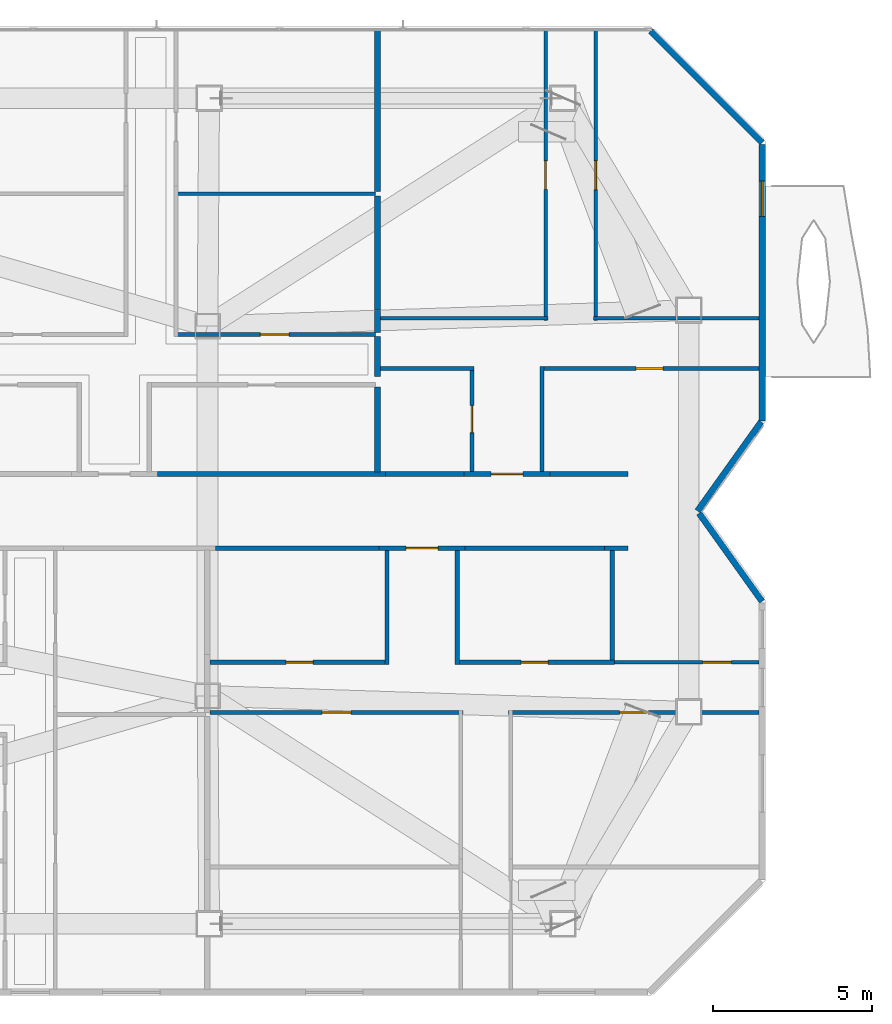
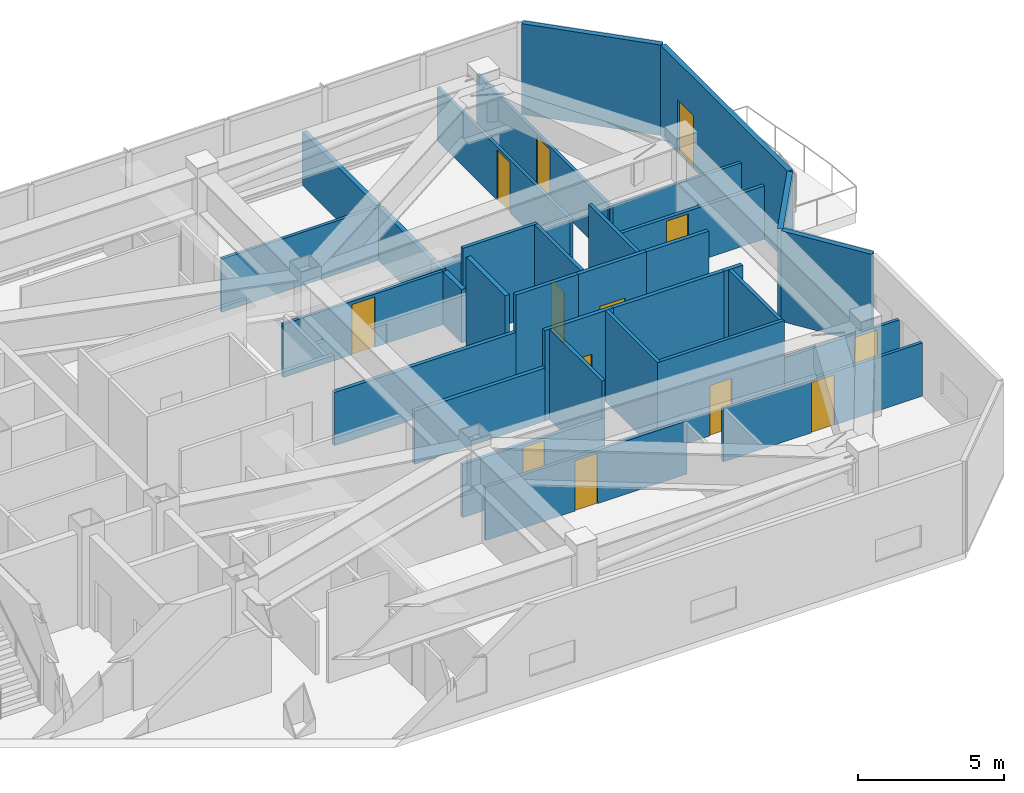
# One storey, part 12 of 16: 35 walls, 13 doors, 13 openings.
"""IFC4 building model written with IfcOpenShell, lengths in metres."""

from ifc_helpers import new_model, si_unit, direction, frame, frame_2d, origin, place, context, subcontext, project, spatial, rectangle, extrude, material, layer, layer_set, type_object, element, fill, save


model = new_model("IFC4")

# Units and contexts
model_context = context("Model", 3, precision=1e-05, world=origin(), true_north=direction((0.0, 1.0)))
body_context = subcontext(model_context, "Body", "Model", "MODEL_VIEW")
ifc_project = project(units=[si_unit("LENGTHUNIT", "METRE"), si_unit("AREAUNIT", "SQUARE_METRE"), si_unit("VOLUMEUNIT", "CUBIC_METRE"), si_unit("PLANEANGLEUNIT", "RADIAN"), si_unit("MASSUNIT", "GRAM", prefix="KILO")], contexts=[model_context])

# Site, building, storey
site_placement = place(None, origin())
site = spatial("IfcSite", under=ifc_project, at=site_placement, CompositionType="ELEMENT")
building_placement = place(site_placement, origin())
building = spatial("IfcBuilding", under=site, at=building_placement, Name="Khamvora Tower", CompositionType="ELEMENT")
storey_placement = place(building_placement, frame((0.0, 0.0, 273.64990234375)))
storey = spatial("IfcBuildingStorey", under=building, at=storey_placement, Name="L70", CompositionType="ELEMENT", Elevation=273.64990234375)

# Wall
ifc_material_1 = material(Name="Fire-Rated Drywall and Steel Stud", Category="steel")
ifc_layer_1 = layer(ifc_material_1, 0.14990234375)
ifc_layer_set_1 = layer_set([ifc_layer_1], Name="Fire-Rated Drywall and Steel Stud")
wall_type_1 = type_object("IfcWallType", Name="WAL-CORR-150", PredefinedType="STANDARD", material=ifc_layer_set_1)
wall_1_placement = place(storey_placement, frame((63.68994140625, 26.8349609375, 0.0), z_axis=(0.0, 0.0, 1.0), x_axis=(-1.0, 0.0, 0.0)))
element("IfcWall", 1, at=wall_1_placement, inside=storey, type_object=wall_type_1, Name="L70 interior partition wall 016", PredefinedType="STANDARD", context=body_context, shape_type="SweptSolid", body=[
    extrude(rectangle(XDim=0.742919921875, YDim=0.14990234375, at=frame_2d((0.37158203125, 0.0))), origin(), (0.0, 0.0, 1.0), 3.780029296875),
])

# Wall, opening, door
wall_2_placement = place(storey_placement, frame((58.580078125, 26.8349609375, 0.0), z_axis=(0.0, 0.0, 1.0), x_axis=(-1.0, 0.0, 0.0)))
wall_2 = element("IfcWall", 2, at=wall_2_placement, inside=storey, type_object=wall_type_1, Name="L70 interior partition wall 017", PredefinedType="STANDARD", context=body_context, shape_type="SweptSolid", body=[
    extrude(rectangle(XDim=2.697998046875, YDim=0.14990234375, at=frame_2d((1.34912109375, 0.0))), origin(), (0.0, 0.0, 1.0), 3.780029296875),
])
opening_1_placement = place(wall_2_placement, frame((0.84912109375, 0.0, 0.0)))
opening_1 = element("IfcOpeningElement", 3, at=opening_1_placement, cuts=wall_2, Name="Opening D-U1", PredefinedType="OPENING", context=body_context, shape_type="SweptSolid", body=[
    extrude(rectangle(XDim=1.0, YDim=2.14990234375, at=frame_2d((0.5, 1.074951171875))), frame((0.0, 0.0849609375, 0.0), z_axis=(0.0, -1.0, 0.0), x_axis=(1.0, 0.0, 0.0)), (0.0, 0.0, 1.0), 0.169921875),
])
ifc_material_2 = material(Name="Powder-Coated Steel and Hardwood Leaf", Category="steel")
door_type_1 = type_object("IfcDoorType", Name="DOR-UNIT-1000", OperationType="NOTDEFINED", PredefinedType="DOOR", material=ifc_material_2)
door_1_placement = place(opening_1_placement, origin())
door_1 = element("IfcDoor", 4, at=door_1_placement, inside=storey, type_object=door_type_1, Name="L70 interior door COR-70DH", OperationType="SINGLE_SWING_RIGHT", OverallHeight=2.14990234375, OverallWidth=1.0, PredefinedType="DOOR", context=body_context, shape_type="SweptSolid", body=[
    extrude(rectangle(XDim=1.0, YDim=2.14990234375, at=frame_2d((0.5, 1.074951171875))), frame((0.0, 0.02490234375, 0.0), z_axis=(0.0, -1.0, 0.0), x_axis=(1.0, 0.0, 0.0)), (0.0, 0.0, 1.0), 0.050048828125),
])
fill(opening_1, door_1)

# Walls
wall_3_placement = place(storey_placement, frame((62.947021484375, 26.8349609375, 0.0), z_axis=(0.0, 0.0, 1.0), x_axis=(-1.0, 0.0, 0.0)))
element("IfcWall", 5, at=wall_3_placement, inside=storey, type_object=wall_type_1, Name="L70 interior partition wall 018", PredefinedType="STANDARD", context=body_context, shape_type="SweptSolid", body=[
    extrude(rectangle(XDim=4.366943359375, YDim=0.14990234375, at=frame_2d((2.18359375, 0.0))), origin(), (0.0, 0.0, 1.0), 3.780029296875),
])
wall_4_placement = place(storey_placement, frame((55.882080078125, 26.8349609375, 0.0), z_axis=(0.0, 0.0, 1.0), x_axis=(-1.0, 0.0, 0.0)))
element("IfcWall", 6, at=wall_4_placement, inside=storey, type_object=wall_type_1, Name="L70 interior partition wall 019", PredefinedType="STANDARD", context=body_context, shape_type="SweptSolid", body=[
    extrude(rectangle(XDim=5.13818359375, YDim=0.14990234375, at=frame_2d((2.569091796875, 0.0))), origin(), (0.0, 0.0, 1.0), 2.22021484375),
])
wall_5_placement = place(storey_placement, frame((48.923095703125, 29.1650390625, 0.0), z_axis=(0.0, 0.0, 1.0), x_axis=(1.0, 0.0, 0.0)))
element("IfcWall", 7, at=wall_5_placement, inside=storey, type_object=wall_type_1, Name="L70 interior partition wall 024", PredefinedType="STANDARD", context=body_context, shape_type="SweptSolid", body=[
    extrude(rectangle(XDim=7.159912109375, YDim=0.14990234375, at=frame_2d((3.580078125, 0.0))), origin(), (0.0, 0.0, 1.0), 2.22021484375),
])

# Wall, opening, door
wall_6_placement = place(storey_placement, frame((58.5458984375, 29.1650390625, 0.0), z_axis=(0.0, 0.0, 1.0), x_axis=(1.0, 0.0, 0.0)))
wall_6 = element("IfcWall", 8, at=wall_6_placement, inside=storey, type_object=wall_type_1, Name="L70 interior partition wall 026", PredefinedType="STANDARD", context=body_context, shape_type="SweptSolid", body=[
    extrude(rectangle(XDim=2.697998046875, YDim=0.14990234375, at=frame_2d((1.34912109375, 0.0))), origin(), (0.0, 0.0, 1.0), 3.780029296875),
])
opening_2_placement = place(wall_6_placement, frame((0.84912109375, 0.0, 0.0)))
opening_2 = element("IfcOpeningElement", 9, at=opening_2_placement, cuts=wall_6, Name="Opening D-U1", PredefinedType="OPENING", context=body_context, shape_type="SweptSolid", body=[
    extrude(rectangle(XDim=1.0, YDim=2.14990234375, at=frame_2d((0.5, 1.074951171875))), frame((0.0, 0.0849609375, 0.0), z_axis=(0.0, -1.0, 0.0), x_axis=(1.0, 0.0, 0.0)), (0.0, 0.0, 1.0), 0.169921875),
])
door_2_placement = place(opening_2_placement, origin())
door_2 = element("IfcDoor", 10, at=door_2_placement, inside=storey, type_object=door_type_1, Name="L70 interior door COR-70E2H", OperationType="SINGLE_SWING_RIGHT", OverallHeight=2.14990234375, OverallWidth=1.0, PredefinedType="DOOR", context=body_context, shape_type="SweptSolid", body=[
    extrude(rectangle(XDim=1.0, YDim=2.14990234375, at=frame_2d((0.5, 1.074951171875))), frame((0.0, 0.02490234375, 0.0), z_axis=(0.0, -1.0, 0.0), x_axis=(1.0, 0.0, 0.0)), (0.0, 0.0, 1.0), 0.050048828125),
])
fill(opening_2, door_2)

# Walls
wall_7_placement = place(storey_placement, frame((56.0830078125, 29.1650390625, 0.0), z_axis=(0.0, 0.0, 1.0), x_axis=(1.0, 0.0, 0.0)))
element("IfcWall", 11, at=wall_7_placement, inside=storey, type_object=wall_type_1, Name="L70 interior partition wall 027", PredefinedType="STANDARD", context=body_context, shape_type="SweptSolid", body=[
    extrude(rectangle(XDim=2.462890625, YDim=0.14990234375, at=frame_2d((1.2314453125, 0.0))), origin(), (0.0, 0.0, 1.0), 3.780029296875),
])
wall_8_placement = place(storey_placement, frame((61.243896484375, 29.1650390625, 0.0), z_axis=(0.0, 0.0, 1.0), x_axis=(1.0, 0.0, 0.0)))
element("IfcWall", 12, at=wall_8_placement, inside=storey, type_object=wall_type_1, Name="L70 interior partition wall 028", PredefinedType="STANDARD", context=body_context, shape_type="SweptSolid", body=[
    extrude(rectangle(XDim=2.446044921875, YDim=0.14990234375, at=frame_2d((1.22314453125, 0.0))), origin(), (0.0, 0.0, 1.0), 3.780029296875),
])
ifc_material_3 = material(Name="Acoustic Double-Stud Fire Wall", Category="gypsum")
ifc_layer_2 = layer(ifc_material_3, 0.179931640625)
ifc_layer_set_2 = layer_set([ifc_layer_2], Name="Acoustic Double-Stud Fire Wall")
wall_type_2 = type_object("IfcWallType", Name="WAL-CORR-180", PredefinedType="STANDARD", material=ifc_layer_set_2)
wall_9_placement = place(storey_placement, frame((55.8330078125, 33.47509765625, 0.0), z_axis=(0.0, 0.0, 1.0), x_axis=(0.0, -1.0, 0.0)))
element("IfcWall", 13, at=wall_9_placement, inside=storey, type_object=wall_type_2, Name="L70 interior partition wall 072", PredefinedType="STANDARD", context=body_context, shape_type="SweptSolid", body=[
    extrude(rectangle(XDim=1.254150390625, YDim=0.179931640625, at=frame_2d((0.626953125, 0.0))), origin(), (0.0, 0.0, 1.0), 2.22021484375),
])
wall_10_placement = place(storey_placement, frame((55.8330078125, 31.89501953125, 0.0), z_axis=(0.0, 0.0, 1.0), x_axis=(0.0, -1.0, 0.0)))
element("IfcWall", 14, at=wall_10_placement, inside=storey, type_object=wall_type_2, Name="L70 interior partition wall 073", PredefinedType="STANDARD", context=body_context, shape_type="SweptSolid", body=[
    extrude(rectangle(XDim=2.6650390625, YDim=0.179931640625, at=frame_2d((1.33251953125, 0.0))), origin(), (0.0, 0.0, 1.0), 3.780029296875),
])
wall_11_placement = place(storey_placement, frame((55.8330078125, 34.299072265625, 0.0), z_axis=(0.0, 0.0, 1.0), x_axis=(0.0, -1.0, 0.0)))
element("IfcWall", 15, at=wall_11_placement, inside=storey, type_object=wall_type_2, Name="L70 interior partition wall 076", PredefinedType="STANDARD", context=body_context, shape_type="SweptSolid", body=[
    extrude(rectangle(XDim=0.694091796875, YDim=0.179931640625, at=frame_2d((0.34716796875, 0.0))), origin(), (0.0, 0.0, 1.0), 2.22021484375),
])
wall_12_placement = place(storey_placement, frame((55.8330078125, 37.889892578125, 0.0), z_axis=(0.0, 0.0, 1.0), x_axis=(0.0, -1.0, 0.0)))
element("IfcWall", 16, at=wall_12_placement, inside=storey, type_object=wall_type_2, Name="L70 interior partition wall 077", PredefinedType="STANDARD", context=body_context, shape_type="SweptSolid", body=[
    extrude(rectangle(XDim=3.5908203125, YDim=0.179931640625, at=frame_2d((1.79541015625, 0.0))), origin(), (0.0, 0.0, 1.0), 2.22021484375),
])
wall_13_placement = place(storey_placement, frame((55.8330078125, 43.090087890625, 0.0), z_axis=(0.0, 0.0, 1.0), x_axis=(0.0, -1.0, 0.0)))
element("IfcWall", 17, at=wall_13_placement, inside=storey, type_object=wall_type_2, Name="L70 interior partition wall 078", PredefinedType="STANDARD", context=body_context, shape_type="SweptSolid", body=[
    extrude(rectangle(XDim=5.070068359375, YDim=0.179931640625, at=frame_2d((2.53515625, 0.0))), origin(), (0.0, 0.0, 1.0), 2.22021484375),
])
ifc_material_4 = material(Name="Precast concrete C40/50", Category="concrete")
ifc_layer_3 = layer(ifc_material_4, 0.199951171875)
ifc_layer_set_3 = layer_set([ifc_layer_3], Name="Precast concrete C40/50")
wall_type_3 = type_object("IfcWallType", Name="WAL-EXT-200", PredefinedType="STANDARD", material=ifc_layer_set_3)
wall_14_placement = place(storey_placement, frame((64.402099609375, 43.056884765625, 0.0), z_axis=(0.0, 0.0, 1.0), x_axis=(0.707106781187, -0.707106781187, 0.0)))
element("IfcWall", 18, at=wall_14_placement, inside=storey, type_object=wall_type_3, Name="L70 exterior facade wall 08.1", PredefinedType="STANDARD", context=body_context, shape_type="SweptSolid", body=[
    extrude(rectangle(XDim=4.946533203125, YDim=0.199951171875, at=frame_2d((2.47314453125, 0.0))), origin(), (0.0, 0.0, 1.0), 3.780029296875),
])

# Wall, opening, door
wall_15_placement = place(storey_placement, frame((67.89990234375, 39.4970703125, 0.0), z_axis=(0.0, 0.0, 1.0), x_axis=(0.0, -1.0, 0.0)))
wall_15 = element("IfcWall", 19, at=wall_15_placement, inside=storey, type_object=wall_type_3, Name="L70 exterior facade wall 09.1", PredefinedType="STANDARD", context=body_context, shape_type="SweptSolid", body=[
    extrude(rectangle(XDim=8.6650390625, YDim=0.199951171875, at=frame_2d((4.33251953125, 0.0))), origin(), (0.0, 0.0, 1.0), 3.780029296875),
])
opening_3_placement = place(wall_15_placement, frame((1.15087890625, 0.0, 0.0)))
opening_3 = element("IfcOpeningElement", 20, at=opening_3_placement, cuts=wall_15, Name="Opening BD-01", PredefinedType="OPENING", context=body_context, shape_type="SweptSolid", body=[
    extrude(rectangle(XDim=1.10009765625, YDim=2.199951171875, at=frame_2d((0.550048828125, 1.10009765625))), frame((0.0, 0.10986328125, 0.0), z_axis=(0.0, -1.0, 0.0), x_axis=(1.0, 0.0, 0.0)), (0.0, 0.0, 1.0), 0.219970703125),
])
ifc_material_5 = material(Name="Anodised Aluminium and Laminated Safety Glass", Category="aluminium")
door_type_2 = type_object("IfcDoorType", Name="DOR-BAL-1100", OperationType="NOTDEFINED", PredefinedType="DOOR", material=ifc_material_5)
door_3_placement = place(opening_3_placement, origin())
door_3 = element("IfcDoor", 21, at=door_3_placement, inside=storey, type_object=door_type_2, Name="L70 lens gallery balcony door EL2", OperationType="SLIDING_TO_LEFT", OverallHeight=2.199951171875, OverallWidth=1.10009765625, PredefinedType="DOOR", context=body_context, shape_type="SweptSolid", body=[
    extrude(rectangle(XDim=1.10009765625, YDim=2.199951171875, at=frame_2d((0.550048828125, 1.10009765625))), frame((0.0, 0.02490234375, 0.0), z_axis=(0.0, -1.0, 0.0), x_axis=(1.0, 0.0, 0.0)), (0.0, 0.0, 1.0), 0.050048828125),
])
fill(opening_3, door_3)

# Walls
wall_16_placement = place(storey_placement, frame((67.8720703125, 30.79296875, 0.0), z_axis=(0.0, 0.0, 1.0), x_axis=(-0.581265107027, -0.813714246743, 0.0)))
element("IfcWall", 22, at=wall_16_placement, inside=storey, type_object=wall_type_3, Name="L70 exterior facade wall 10.1", PredefinedType="STANDARD", context=body_context, shape_type="SweptSolid", body=[
    extrude(rectangle(XDim=3.432373046875, YDim=0.199951171875, at=frame_2d((1.71630859375, 0.0))), origin(), (0.0, 0.0, 1.0), 3.780029296875),
])
wall_17_placement = place(storey_placement, frame((65.926025390625, 27.930908203125, 0.0), z_axis=(0.0, 0.0, 1.0), x_axis=(0.581306204583, -0.813684887726, 0.0)))
element("IfcWall", 23, at=wall_17_placement, inside=storey, type_object=wall_type_3, Name="L70 exterior facade wall 11.1", PredefinedType="STANDARD", context=body_context, shape_type="SweptSolid", body=[
    extrude(rectangle(XDim=3.3955078125, YDim=0.199951171875, at=frame_2d((1.69775390625, 0.0))), origin(), (0.0, 0.0, 1.0), 3.780029296875),
])

# Wall, opening, door
ifc_material_6 = material(Name="Gypsum Plasterboard Partition", Category="gypsum")
ifc_layer_4 = layer(ifc_material_6, 0.1201171875)
ifc_layer_set_4 = layer_set([ifc_layer_4], Name="Gypsum Plasterboard Partition")
wall_type_4 = type_object("IfcWallType", Name="WAL-PART-120", PredefinedType="PARTITIONING", material=ifc_layer_set_4)
wall_18_placement = place(storey_placement, frame((67.80810546875, 23.2548828125, 0.0), z_axis=(0.0, 0.0, 1.0), x_axis=(-1.0, 0.0, 0.0)))
wall_18 = element("IfcWall", 24, at=wall_18_placement, inside=storey, type_object=wall_type_4, Name="L70 interior partition wall 048", PredefinedType="PARTITIONING", context=body_context, shape_type="SweptSolid", body=[
    extrude(rectangle(XDim=4.547119140625, YDim=0.1201171875, at=frame_2d((2.2734375, 0.0))), origin(), (0.0, 0.0, 1.0), 2.22021484375),
])
opening_4_placement = place(wall_18_placement, frame((0.876953125, 0.0, 0.0)))
opening_4 = element("IfcOpeningElement", 25, at=opening_4_placement, cuts=wall_18, Name="Opening D-RM1", PredefinedType="OPENING", context=body_context, shape_type="SweptSolid", body=[
    extrude(rectangle(XDim=0.89990234375, YDim=2.10009765625, at=frame_2d((0.449951171875, 1.050048828125))), frame((0.0, 0.070068359375, 0.0), z_axis=(0.0, -1.0, 0.0), x_axis=(1.0, 0.0, 0.0)), (0.0, 0.0, 1.0), 0.14013671875),
])
door_type_3 = type_object("IfcDoorType", Name="DOR-ROOM-900", OperationType="NOTDEFINED", PredefinedType="DOOR", material=ifc_material_2)
door_4_placement = place(opening_4_placement, origin())
door_4 = element("IfcDoor", 26, at=door_4_placement, inside=storey, type_object=door_type_3, Name="L70 interior door 70DW2-70DH", OperationType="SINGLE_SWING_LEFT", OverallHeight=2.10009765625, OverallWidth=0.89990234375, PredefinedType="DOOR", context=body_context, shape_type="SweptSolid", body=[
    extrude(rectangle(XDim=0.89990234375, YDim=2.10009765625, at=frame_2d((0.449951171875, 1.050048828125))), frame((0.0, 0.02490234375, 0.0), z_axis=(0.0, -1.0, 0.0), x_axis=(1.0, 0.0, 0.0)), (0.0, 0.0, 1.0), 0.050048828125),
])
fill(opening_4, door_4)

wall_19_placement = place(storey_placement, frame((58.510009765625, 21.675048828125, 0.0), z_axis=(0.0, 0.0, 1.0), x_axis=(-1.0, 0.0, 0.0)))
wall_19 = element("IfcWall", 27, at=wall_19_placement, inside=storey, type_object=wall_type_4, Name="L70 interior partition wall 056", PredefinedType="PARTITIONING", context=body_context, shape_type="SweptSolid", body=[
    extrude(rectangle(XDim=7.93310546875, YDim=0.1201171875, at=frame_2d((3.966552734375, 0.0))), origin(), (0.0, 0.0, 1.0), 2.22021484375),
])
opening_5_placement = place(wall_19_placement, frame((3.51611328125, 0.0, 0.0)))
opening_5 = element("IfcOpeningElement", 28, at=opening_5_placement, cuts=wall_19, Name="Opening D-RM1", PredefinedType="OPENING", context=body_context, shape_type="SweptSolid", body=[
    extrude(rectangle(XDim=0.89990234375, YDim=2.10009765625, at=frame_2d((0.449951171875, 1.050048828125))), frame((0.0, 0.070068359375, 0.0), z_axis=(0.0, -1.0, 0.0), x_axis=(1.0, 0.0, 0.0)), (0.0, 0.0, 1.0), 0.14013671875),
])
door_5_placement = place(opening_5_placement, origin())
door_5 = element("IfcDoor", 29, at=door_5_placement, inside=storey, type_object=door_type_3, Name="L70 interior door 70DH-70DR2", OperationType="SINGLE_SWING_LEFT", OverallHeight=2.10009765625, OverallWidth=0.89990234375, PredefinedType="DOOR", context=body_context, shape_type="SweptSolid", body=[
    extrude(rectangle(XDim=0.89990234375, YDim=2.10009765625, at=frame_2d((0.449951171875, 1.050048828125))), frame((0.0, 0.02490234375, 0.0), z_axis=(0.0, -1.0, 0.0), x_axis=(1.0, 0.0, 0.0)), (0.0, 0.0, 1.0), 0.050048828125),
])
fill(opening_5, door_5)

wall_20_placement = place(storey_placement, frame((67.80810546875, 21.675048828125, 0.0), z_axis=(0.0, 0.0, 1.0), x_axis=(-1.0, 0.0, 0.0)))
wall_20 = element("IfcWall", 30, at=wall_20_placement, inside=storey, type_object=wall_type_4, Name="L70 interior partition wall 058", PredefinedType="PARTITIONING", context=body_context, shape_type="SweptSolid", body=[
    extrude(rectangle(XDim=7.858154296875, YDim=0.1201171875, at=frame_2d((3.92919921875, 0.0))), origin(), (0.0, 0.0, 1.0), 2.22021484375),
])
opening_6_placement = place(wall_20_placement, frame((3.47900390625, 0.0, 0.0)))
opening_6 = element("IfcOpeningElement", 31, at=opening_6_placement, cuts=wall_20, Name="Opening D-RM1", PredefinedType="OPENING", context=body_context, shape_type="SweptSolid", body=[
    extrude(rectangle(XDim=0.89990234375, YDim=2.10009765625, at=frame_2d((0.449951171875, 1.050048828125))), frame((0.0, 0.070068359375, 0.0), z_axis=(0.0, -1.0, 0.0), x_axis=(1.0, 0.0, 0.0)), (0.0, 0.0, 1.0), 0.14013671875),
])
door_6_placement = place(opening_6_placement, origin())
door_6 = element("IfcDoor", 32, at=door_6_placement, inside=storey, type_object=door_type_3, Name="L70 interior door 70DH-70DR4", OperationType="SINGLE_SWING_RIGHT", OverallHeight=2.10009765625, OverallWidth=0.89990234375, PredefinedType="DOOR", context=body_context, shape_type="SweptSolid", body=[
    extrude(rectangle(XDim=0.89990234375, YDim=2.10009765625, at=frame_2d((0.449951171875, 1.050048828125))), frame((0.0, 0.02490234375, 0.0), z_axis=(0.0, -1.0, 0.0), x_axis=(1.0, 0.0, 0.0)), (0.0, 0.0, 1.0), 0.050048828125),
])
fill(opening_6, door_6)

wall_21_placement = place(storey_placement, frame((49.444091796875, 33.5400390625, 0.0), z_axis=(0.0, 0.0, 1.0), x_axis=(1.0, 0.0, 0.0)))
wall_21 = element("IfcWall", 33, at=wall_21_placement, inside=storey, type_object=wall_type_4, Name="L70 interior partition wall 070", PredefinedType="PARTITIONING", context=body_context, shape_type="SweptSolid", body=[
    extrude(rectangle(XDim=6.323974609375, YDim=0.1201171875, at=frame_2d((3.162109375, 0.0))), origin(), (0.0, 0.0, 1.0), 2.22021484375),
])
opening_7_placement = place(wall_21_placement, frame((2.7119140625, 0.0, 0.0)))
opening_7 = element("IfcOpeningElement", 34, at=opening_7_placement, cuts=wall_21, Name="Opening D-RM1", PredefinedType="OPENING", context=body_context, shape_type="SweptSolid", body=[
    extrude(rectangle(XDim=0.89990234375, YDim=2.10009765625, at=frame_2d((0.449951171875, 1.050048828125))), frame((0.0, 0.070068359375, 0.0), z_axis=(0.0, -1.0, 0.0), x_axis=(1.0, 0.0, 0.0)), (0.0, 0.0, 1.0), 0.14013671875),
])
door_7_placement = place(opening_7_placement, origin())
door_7 = element("IfcDoor", 35, at=door_7_placement, inside=storey, type_object=door_type_3, Name="L70 interior door 70E1H-70E1R3", OperationType="SINGLE_SWING_LEFT", OverallHeight=2.10009765625, OverallWidth=0.89990234375, PredefinedType="DOOR", context=body_context, shape_type="SweptSolid", body=[
    extrude(rectangle(XDim=0.89990234375, YDim=2.10009765625, at=frame_2d((0.449951171875, 1.050048828125))), frame((0.0, 0.02490234375, 0.0), z_axis=(0.0, -1.0, 0.0), x_axis=(1.0, 0.0, 0.0)), (0.0, 0.0, 1.0), 0.050048828125),
])
fill(opening_7, door_7)

# Walls
wall_22_placement = place(storey_placement, frame((49.56298828125, 37.955078125, 0.0), z_axis=(0.0, 0.0, 1.0), x_axis=(1.0, 0.0, 0.0)))
element("IfcWall", 36, at=wall_22_placement, inside=storey, type_object=wall_type_4, Name="L70 interior partition wall 075", PredefinedType="PARTITIONING", context=body_context, shape_type="SweptSolid", body=[
    extrude(rectangle(XDim=6.205078125, YDim=0.1201171875, at=frame_2d((3.1025390625, 0.0))), origin(), (0.0, 0.0, 1.0), 2.22021484375),
])
wall_23_placement = place(storey_placement, frame((55.9150390625, 34.050048828125, 0.0), z_axis=(0.0, 0.0, 1.0), x_axis=(1.0, 0.0, 0.0)))
element("IfcWall", 37, at=wall_23_placement, inside=storey, type_object=wall_type_4, Name="L70 interior partition wall 083", PredefinedType="PARTITIONING", context=body_context, shape_type="SweptSolid", body=[
    extrude(rectangle(XDim=5.259033203125, YDim=0.1201171875, at=frame_2d((2.62939453125, 0.0))), origin(), (0.0, 0.0, 1.0), 2.22021484375),
])

# Wall, opening, door
wall_24_placement = place(storey_placement, frame((61.10888671875, 33.985107421875, 0.0), z_axis=(0.0, 0.0, 1.0), x_axis=(0.0, 1.0, 0.0)))
wall_24 = element("IfcWall", 38, at=wall_24_placement, inside=storey, type_object=wall_type_4, Name="L70 interior partition wall 084", PredefinedType="PARTITIONING", context=body_context, shape_type="SweptSolid", body=[
    extrude(rectangle(XDim=9.10498046875, YDim=0.1201171875, at=frame_2d((4.552490234375, 0.0))), origin(), (0.0, 0.0, 1.0), 2.22021484375),
])
opening_8_placement = place(wall_24_placement, frame((4.10302734375, 0.0, 0.0)))
opening_8 = element("IfcOpeningElement", 39, at=opening_8_placement, cuts=wall_24, Name="Opening D-RM1", PredefinedType="OPENING", context=body_context, shape_type="SweptSolid", body=[
    extrude(rectangle(XDim=0.89990234375, YDim=2.10009765625, at=frame_2d((0.449951171875, 1.050048828125))), frame((0.0, 0.070068359375, 0.0), z_axis=(0.0, -1.0, 0.0), x_axis=(1.0, 0.0, 0.0)), (0.0, 0.0, 1.0), 0.14013671875),
])
door_8_placement = place(opening_8_placement, origin())
door_8 = element("IfcDoor", 40, at=door_8_placement, inside=storey, type_object=door_type_3, Name="L70 interior door 70E2H-70E2R1", OperationType="SINGLE_SWING_LEFT", OverallHeight=2.10009765625, OverallWidth=0.89990234375, PredefinedType="DOOR", context=body_context, shape_type="SweptSolid", body=[
    extrude(rectangle(XDim=0.89990234375, YDim=2.10009765625, at=frame_2d((0.449951171875, 1.050048828125))), frame((0.0, 0.02490234375, 0.0), z_axis=(0.0, -1.0, 0.0), x_axis=(1.0, 0.0, 0.0)), (0.0, 0.0, 1.0), 0.050048828125),
])
fill(opening_8, door_8)

wall_25_placement = place(storey_placement, frame((62.678955078125, 43.090087890625, 0.0), z_axis=(0.0, 0.0, 1.0), x_axis=(0.0, -1.0, 0.0)))
wall_25 = element("IfcWall", 41, at=wall_25_placement, inside=storey, type_object=wall_type_4, Name="L70 interior partition wall 085", PredefinedType="PARTITIONING", context=body_context, shape_type="SweptSolid", body=[
    extrude(rectangle(XDim=9.10498046875, YDim=0.1201171875, at=frame_2d((4.552490234375, 0.0))), origin(), (0.0, 0.0, 1.0), 2.22021484375),
])
opening_9_placement = place(wall_25_placement, frame((4.10302734375, 0.0, 0.0)))
opening_9 = element("IfcOpeningElement", 42, at=opening_9_placement, cuts=wall_25, Name="Opening D-RM1", PredefinedType="OPENING", context=body_context, shape_type="SweptSolid", body=[
    extrude(rectangle(XDim=0.89990234375, YDim=2.10009765625, at=frame_2d((0.449951171875, 1.050048828125))), frame((0.0, 0.070068359375, 0.0), z_axis=(0.0, -1.0, 0.0), x_axis=(1.0, 0.0, 0.0)), (0.0, 0.0, 1.0), 0.14013671875),
])
door_9_placement = place(opening_9_placement, origin())
door_9 = element("IfcDoor", 43, at=door_9_placement, inside=storey, type_object=door_type_3, Name="L70 interior door 70E2H-70E2R2", OperationType="SINGLE_SWING_RIGHT", OverallHeight=2.10009765625, OverallWidth=0.89990234375, PredefinedType="DOOR", context=body_context, shape_type="SweptSolid", body=[
    extrude(rectangle(XDim=0.89990234375, YDim=2.10009765625, at=frame_2d((0.449951171875, 1.050048828125))), frame((0.0, 0.02490234375, 0.0), z_axis=(0.0, -1.0, 0.0), x_axis=(1.0, 0.0, 0.0)), (0.0, 0.0, 1.0), 0.050048828125),
])
fill(opening_9, door_9)

# Walls
wall_26_placement = place(storey_placement, frame((62.614013671875, 34.050048828125, 0.0), z_axis=(0.0, 0.0, 1.0), x_axis=(1.0, 0.0, 0.0)))
element("IfcWall", 44, at=wall_26_placement, inside=storey, type_object=wall_type_4, Name="L70 interior partition wall 086", PredefinedType="PARTITIONING", context=body_context, shape_type="SweptSolid", body=[
    extrude(rectangle(XDim=5.194091796875, YDim=0.1201171875, at=frame_2d((2.59716796875, 0.0))), origin(), (0.0, 0.0, 1.0), 2.22021484375),
])
ifc_material_7 = material(Name="Moisture-Resistant Plasterboard Partition", Category="gypsum")
ifc_layer_5 = layer(ifc_material_7, 0.135009765625)
ifc_layer_set_5 = layer_set([ifc_layer_5], Name="Moisture-Resistant Plasterboard Partition")
wall_type_5 = type_object("IfcWallType", Name="WAL-WET-135", PredefinedType="PARTITIONING", material=ifc_layer_set_5)
wall_27_placement = place(storey_placement, frame((63.196044921875, 23.320068359375, 0.0), z_axis=(0.0, 0.0, 1.0), x_axis=(0.0, 1.0, 0.0)))
element("IfcWall", 45, at=wall_27_placement, inside=storey, type_object=wall_type_5, Name="L70 interior partition wall 049", PredefinedType="PARTITIONING", context=body_context, shape_type="SweptSolid", body=[
    extrude(rectangle(XDim=3.449951171875, YDim=0.135009765625, at=frame_2d((1.72509765625, 0.0))), origin(), (0.0, 0.0, 1.0), 3.780029296875),
])
wall_28_placement = place(storey_placement, frame((58.3310546875, 26.77001953125, 0.0), z_axis=(0.0, 0.0, 1.0), x_axis=(0.0, -1.0, 0.0)))
element("IfcWall", 46, at=wall_28_placement, inside=storey, type_object=wall_type_5, Name="L70 interior partition wall 050", PredefinedType="PARTITIONING", context=body_context, shape_type="SweptSolid", body=[
    extrude(rectangle(XDim=3.580078125, YDim=0.135009765625, at=frame_2d((1.7900390625, 0.0))), origin(), (0.0, 0.0, 1.0), 3.780029296875),
])

# Wall, opening, door
wall_29_placement = place(storey_placement, frame((58.26611328125, 23.2548828125, 0.0), z_axis=(0.0, 0.0, 1.0), x_axis=(1.0, 0.0, 0.0)))
wall_29 = element("IfcWall", 47, at=wall_29_placement, inside=storey, type_object=wall_type_5, Name="L70 interior partition wall 051", PredefinedType="PARTITIONING", context=body_context, shape_type="SweptSolid", body=[
    extrude(rectangle(XDim=4.994873046875, YDim=0.135009765625, at=frame_2d((2.49755859375, 0.0))), origin(), (0.0, 0.0, 1.0), 3.780029296875),
])
opening_10_placement = place(wall_29_placement, frame((2.072998046875, 0.0, 0.0)))
opening_10 = element("IfcOpeningElement", 48, at=opening_10_placement, cuts=wall_29, Name="Opening D-WC1", PredefinedType="OPENING", context=body_context, shape_type="SweptSolid", body=[
    extrude(rectangle(XDim=0.85009765625, YDim=2.10009765625, at=frame_2d((0.425048828125, 1.050048828125))), frame((0.0, 0.077392578125, 0.0), z_axis=(0.0, -1.0, 0.0), x_axis=(1.0, 0.0, 0.0)), (0.0, 0.0, 1.0), 0.155029296875),
])
door_type_4 = type_object("IfcDoorType", Name="DOR-WET-850", OperationType="NOTDEFINED", PredefinedType="DOOR", material=ifc_material_2)
door_10_placement = place(opening_10_placement, origin())
door_10 = element("IfcDoor", 49, at=door_10_placement, inside=storey, type_object=door_type_4, Name="L70 interior door 70DH-70DB", OperationType="SINGLE_SWING_RIGHT", OverallHeight=2.10009765625, OverallWidth=0.85009765625, PredefinedType="DOOR", context=body_context, shape_type="SweptSolid", body=[
    extrude(rectangle(XDim=0.85009765625, YDim=2.10009765625, at=frame_2d((0.425048828125, 1.050048828125))), frame((0.0, 0.02490234375, 0.0), z_axis=(0.0, -1.0, 0.0), x_axis=(1.0, 0.0, 0.0)), (0.0, 0.0, 1.0), 0.050048828125),
])
fill(opening_10, door_10)

wall_30_placement = place(storey_placement, frame((50.576904296875, 23.2548828125, 0.0), z_axis=(0.0, 0.0, 1.0), x_axis=(1.0, 0.0, 0.0)))
wall_30 = element("IfcWall", 50, at=wall_30_placement, inside=storey, type_object=wall_type_5, Name="L70 interior partition wall 052", PredefinedType="PARTITIONING", context=body_context, shape_type="SweptSolid", body=[
    extrude(rectangle(XDim=5.619140625, YDim=0.135009765625, at=frame_2d((2.8095703125, 0.0))), origin(), (0.0, 0.0, 1.0), 2.22021484375),
])
opening_11_placement = place(wall_30_placement, frame((2.385009765625, 0.0, 0.0)))
opening_11 = element("IfcOpeningElement", 51, at=opening_11_placement, cuts=wall_30, Name="Opening D-RM2", PredefinedType="OPENING", context=body_context, shape_type="SweptSolid", body=[
    extrude(rectangle(XDim=0.85009765625, YDim=2.10009765625, at=frame_2d((0.425048828125, 1.050048828125))), frame((0.0, 0.077392578125, 0.0), z_axis=(0.0, -1.0, 0.0), x_axis=(1.0, 0.0, 0.0)), (0.0, 0.0, 1.0), 0.155029296875),
])
door_type_5 = type_object("IfcDoorType", Name="DOR-ROOM-850", OperationType="NOTDEFINED", PredefinedType="DOOR", material=ifc_material_2)
door_11_placement = place(opening_11_placement, origin())
door_11 = element("IfcDoor", 52, at=door_11_placement, inside=storey, type_object=door_type_5, Name="L70 interior door 70DH-70DK", OperationType="SINGLE_SWING_LEFT", OverallHeight=2.10009765625, OverallWidth=0.85009765625, PredefinedType="DOOR", context=body_context, shape_type="SweptSolid", body=[
    extrude(rectangle(XDim=0.85009765625, YDim=2.10009765625, at=frame_2d((0.425048828125, 1.050048828125))), frame((0.0, 0.02490234375, 0.0), z_axis=(0.0, -1.0, 0.0), x_axis=(1.0, 0.0, 0.0)), (0.0, 0.0, 1.0), 0.050048828125),
])
fill(opening_11, door_11)

# Wall
wall_31_placement = place(storey_placement, frame((56.131103515625, 23.18994140625, 0.0), z_axis=(0.0, 0.0, 1.0), x_axis=(0.0, 1.0, 0.0)))
element("IfcWall", 53, at=wall_31_placement, inside=storey, type_object=wall_type_5, Name="L70 interior partition wall 053", PredefinedType="PARTITIONING", context=body_context, shape_type="SweptSolid", body=[
    extrude(rectangle(XDim=3.580078125, YDim=0.135009765625, at=frame_2d((1.7900390625, 0.0))), origin(), (0.0, 0.0, 1.0), 3.780029296875),
])

# Wall, opening, door
wall_32_placement = place(storey_placement, frame((58.794921875, 29.22998046875, 0.0), z_axis=(0.0, 0.0, 1.0), x_axis=(0.0, 1.0, 0.0)))
wall_32 = element("IfcWall", 54, at=wall_32_placement, inside=storey, type_object=wall_type_5, Name="L70 interior partition wall 079", PredefinedType="PARTITIONING", context=body_context, shape_type="SweptSolid", body=[
    extrude(rectangle(XDim=3.304931640625, YDim=0.135009765625, at=frame_2d((1.65234375, 0.0))), origin(), (0.0, 0.0, 1.0), 3.780029296875),
])
opening_12_placement = place(wall_32_placement, frame((1.22802734375, 0.0, 0.0)))
opening_12 = element("IfcOpeningElement", 55, at=opening_12_placement, cuts=wall_32, Name="Opening D-WC1", PredefinedType="OPENING", context=body_context, shape_type="SweptSolid", body=[
    extrude(rectangle(XDim=0.85009765625, YDim=2.10009765625, at=frame_2d((0.425048828125, 1.050048828125))), frame((0.0, 0.077392578125, 0.0), z_axis=(0.0, -1.0, 0.0), x_axis=(1.0, 0.0, 0.0)), (0.0, 0.0, 1.0), 0.155029296875),
])
door_12_placement = place(opening_12_placement, origin())
door_12 = element("IfcDoor", 56, at=door_12_placement, inside=storey, type_object=door_type_4, Name="L70 interior door 70E2H-70E2B", OperationType="SINGLE_SWING_LEFT", OverallHeight=2.10009765625, OverallWidth=0.85009765625, PredefinedType="DOOR", context=body_context, shape_type="SweptSolid", body=[
    extrude(rectangle(XDim=0.85009765625, YDim=2.10009765625, at=frame_2d((0.425048828125, 1.050048828125))), frame((0.0, 0.02490234375, 0.0), z_axis=(0.0, -1.0, 0.0), x_axis=(1.0, 0.0, 0.0)), (0.0, 0.0, 1.0), 0.050048828125),
])
fill(opening_12, door_12)

# Wall
wall_33_placement = place(storey_placement, frame((58.860107421875, 32.469970703125, 0.0), z_axis=(0.0, 0.0, 1.0), x_axis=(-1.0, 0.0, 0.0)))
element("IfcWall", 57, at=wall_33_placement, inside=storey, type_object=wall_type_5, Name="L70 interior partition wall 080", PredefinedType="PARTITIONING", context=body_context, shape_type="SweptSolid", body=[
    extrude(rectangle(XDim=2.945068359375, YDim=0.135009765625, at=frame_2d((1.47265625, 0.0))), origin(), (0.0, 0.0, 1.0), 3.780029296875),
])

# Wall, opening, door
wall_34_placement = place(storey_placement, frame((67.80810546875, 32.469970703125, 0.0), z_axis=(0.0, 0.0, 1.0), x_axis=(-1.0, 0.0, 0.0)))
wall_34 = element("IfcWall", 58, at=wall_34_placement, inside=storey, type_object=wall_type_5, Name="L70 interior partition wall 081", PredefinedType="PARTITIONING", context=body_context, shape_type="SweptSolid", body=[
    extrude(rectangle(XDim=6.878173828125, YDim=0.135009765625, at=frame_2d((3.43896484375, 0.0))), origin(), (0.0, 0.0, 1.0), 2.22021484375),
])
opening_13_placement = place(wall_34_placement, frame((3.013916015625, 0.0, 0.0)))
opening_13 = element("IfcOpeningElement", 59, at=opening_13_placement, cuts=wall_34, Name="Opening D-RM2", PredefinedType="OPENING", context=body_context, shape_type="SweptSolid", body=[
    extrude(rectangle(XDim=0.85009765625, YDim=2.10009765625, at=frame_2d((0.425048828125, 1.050048828125))), frame((0.0, 0.077392578125, 0.0), z_axis=(0.0, -1.0, 0.0), x_axis=(1.0, 0.0, 0.0)), (0.0, 0.0, 1.0), 0.155029296875),
])
door_13_placement = place(opening_13_placement, origin())
door_13 = element("IfcDoor", 60, at=door_13_placement, inside=storey, type_object=door_type_5, Name="L70 interior door 70E2H-70E2K", OperationType="SINGLE_SWING_RIGHT", OverallHeight=2.10009765625, OverallWidth=0.85009765625, PredefinedType="DOOR", context=body_context, shape_type="SweptSolid", body=[
    extrude(rectangle(XDim=0.85009765625, YDim=2.10009765625, at=frame_2d((0.425048828125, 1.050048828125))), frame((0.0, 0.02490234375, 0.0), z_axis=(0.0, -1.0, 0.0), x_axis=(1.0, 0.0, 0.0)), (0.0, 0.0, 1.0), 0.050048828125),
])
fill(opening_13, door_13)

# Wall
wall_35_placement = place(storey_placement, frame((60.9951171875, 32.534912109375, 0.0), z_axis=(0.0, 0.0, 1.0), x_axis=(0.0, -1.0, 0.0)))
element("IfcWall", 61, at=wall_35_placement, inside=storey, type_object=wall_type_5, Name="L70 interior partition wall 082", PredefinedType="PARTITIONING", context=body_context, shape_type="SweptSolid", body=[
    extrude(rectangle(XDim=3.304931640625, YDim=0.135009765625, at=frame_2d((1.65234375, 0.0))), origin(), (0.0, 0.0, 1.0), 3.780029296875),
])

save(model, "model.ifc")
